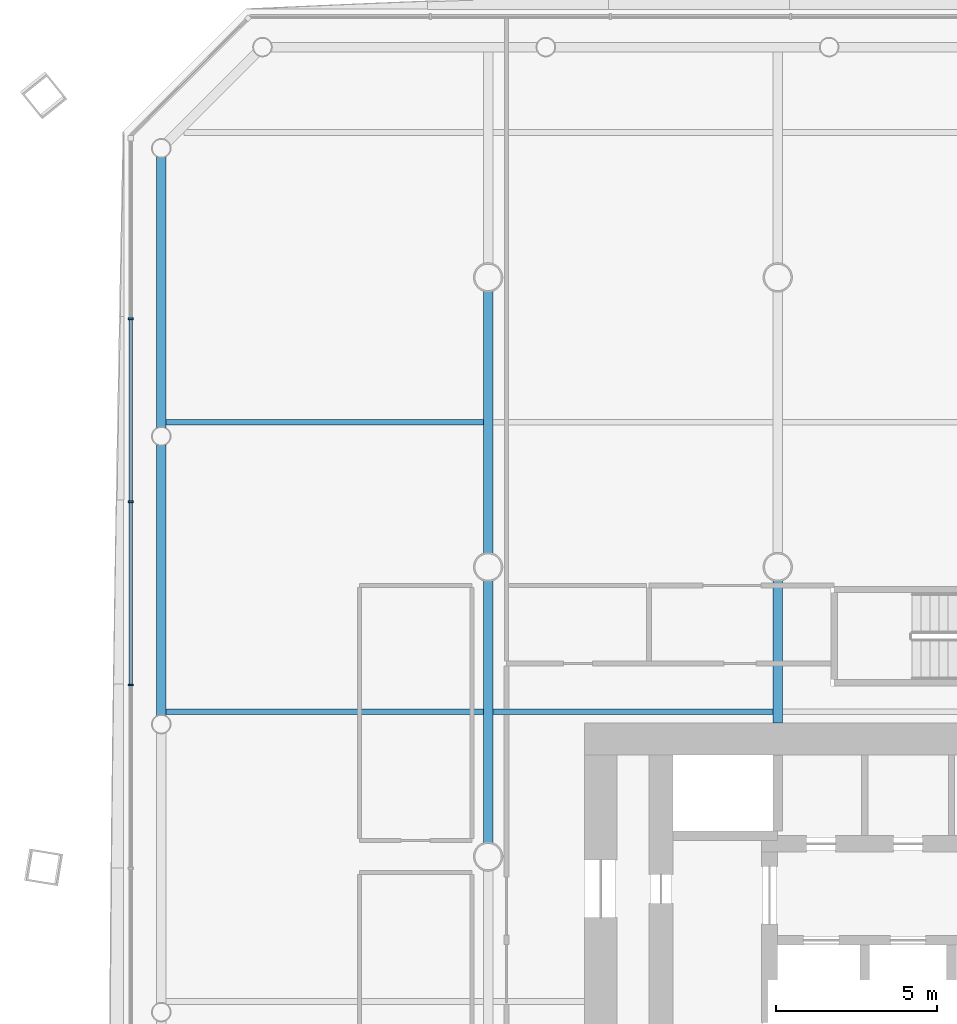
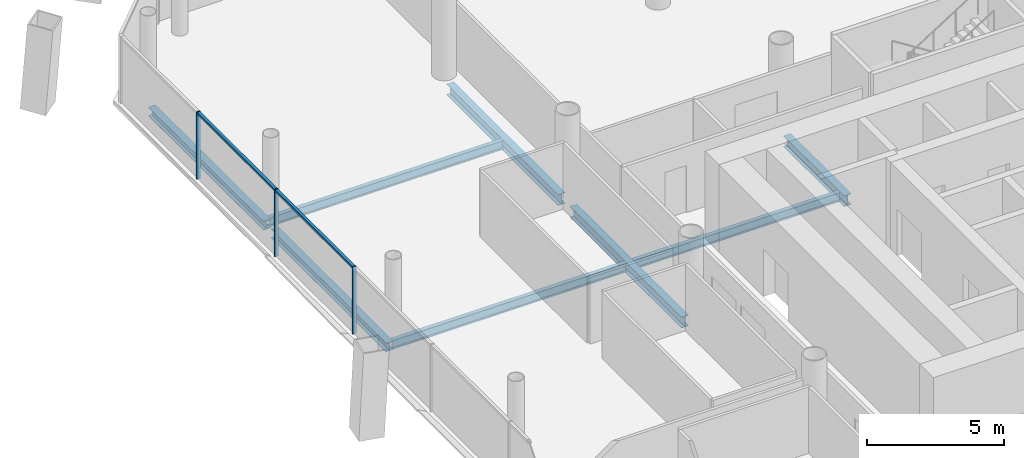
# One storey, part 7 of 20: 8 beams, 5 members, 1 element without a shape of its own.
"""IFC4 building model written with IfcOpenShell, lengths in metres."""

from ifc_helpers import new_model, si_unit, direction, frame, origin, origin_2d, place, context, subcontext, project, spatial, rectangle, i_section, extrude, material, material_profile, profile_set, type_object, element, aggregate, save


model = new_model("IFC4")

# Units and contexts
model_context = context("Model", 3, precision=1e-05, world=origin(), true_north=direction((0.0, 1.0)))
body_context = subcontext(model_context, "Body", "Model", "MODEL_VIEW")
ifc_project = project(units=[si_unit("LENGTHUNIT", "METRE"), si_unit("AREAUNIT", "SQUARE_METRE"), si_unit("VOLUMEUNIT", "CUBIC_METRE"), si_unit("PLANEANGLEUNIT", "RADIAN"), si_unit("MASSUNIT", "GRAM", prefix="KILO")], contexts=[model_context])

# Site, building, storey
site_placement = place(None, origin())
site = spatial("IfcSite", under=ifc_project, at=site_placement, CompositionType="ELEMENT")
building_placement = place(site_placement, origin())
building = spatial("IfcBuilding", under=site, at=building_placement, Name="Tskaro Facet Tower", CompositionType="ELEMENT")
storey_placement = place(building_placement, frame((0.0, 0.0, 53.699951171875)))
storey = spatial("IfcBuildingStorey", under=building, at=storey_placement, Name="L12", CompositionType="ELEMENT", Elevation=53.699951171875)

# Curtain wall, members
ifc_material_1 = material(Name="Bronze anodised aluminium 6063-T6", Category="aluminium")
curtain_wall_type = type_object("IfcCurtainWallType", Name="Bronze office curtain wall (FW1)", PredefinedType="NOTDEFINED", material=ifc_material_1)
curtain_wall_placement = place(storey_placement, origin())
curtain_wall = element("IfcCurtainWall", 1, at=curtain_wall_placement, inside=storey, type_object=curtain_wall_type, Name="FW1 west facet L12", PredefinedType="NOTDEFINED")
ifc_material_profile_1 = material_profile(ifc_material_1, rectangle(XDim=0.06005859375, YDim=0.159912109375, at=origin_2d()), Name="Mullion 60x160")
ifc_profile_set_1 = profile_set([ifc_material_profile_1], Name="Bronze anodised aluminium 6063-T6")
member_type_1 = type_object("IfcMemberType", Name="FW1 bronze mullion 60x160", PredefinedType="MULLION", material=ifc_profile_set_1)
member_1_placement = place(storey_placement, frame((-29.10693359375, 16.714111328125, 0.0), z_axis=(0.0, 0.0, 1.0), x_axis=(0.0, -1.0, 0.0)))
member_1 = element("IfcMember", 2, at=member_1_placement, type_object=member_type_1, Name="FW1 west mullion 1", PredefinedType="MULLION", context=body_context, shape_type="SweptSolid", body=[
    extrude(rectangle(XDim=0.06005859375, YDim=0.159912109375, at=origin_2d()), origin(), (0.0, 0.0, 1.0), 2.989990234375),
])
member_2_placement = place(storey_placement, frame((-29.10693359375, 11.023193359375, 0.0), z_axis=(0.0, 0.0, 1.0), x_axis=(0.0, -1.0, 0.0)))
member_2 = element("IfcMember", 3, at=member_2_placement, type_object=member_type_1, Name="FW1 west mullion 2", PredefinedType="MULLION", context=body_context, shape_type="SweptSolid", body=[
    extrude(rectangle(XDim=0.06005859375, YDim=0.159912109375, at=origin_2d()), origin(), (0.0, 0.0, 1.0), 2.989990234375),
])
member_3_placement = place(storey_placement, frame((-29.10693359375, 5.332275390625, 0.0), z_axis=(0.0, 0.0, 1.0), x_axis=(0.0, -1.0, 0.0)))
member_3 = element("IfcMember", 4, at=member_3_placement, type_object=member_type_1, Name="FW1 west mullion 3", PredefinedType="MULLION", context=body_context, shape_type="SweptSolid", body=[
    extrude(rectangle(XDim=0.06005859375, YDim=0.159912109375, at=origin_2d()), origin(), (0.0, 0.0, 1.0), 2.989990234375),
])
ifc_material_profile_2 = material_profile(ifc_material_1, rectangle(XDim=0.1201171875, YDim=0.10009765625, at=origin_2d()), Name="Transom 120x100")
ifc_profile_set_2 = profile_set([ifc_material_profile_2], Name="Bronze anodised aluminium 6063-T6")
member_type_2 = type_object("IfcMemberType", Name="FW1 bronze transom 120x100", PredefinedType="USERDEFINED", material=ifc_profile_set_2)
member_4_placement = place(storey_placement, frame((-29.10693359375, 16.68408203125, 2.93994140625), z_axis=(0.0, -1.0, 0.0), x_axis=(1.0, 0.0, 0.0)))
member_4 = element("IfcMember", 5, at=member_4_placement, type_object=member_type_2, Name="FW1 west transom 2.1", ObjectType="TRANSOM", PredefinedType="USERDEFINED", context=body_context, shape_type="SweptSolid", body=[
    extrude(rectangle(XDim=0.1201171875, YDim=0.10009765625, at=origin_2d()), origin(), (0.0, 0.0, 1.0), 5.630859375),
])
member_5_placement = place(storey_placement, frame((-29.10693359375, 10.9931640625, 2.93994140625), z_axis=(0.0, -1.0, 0.0), x_axis=(1.0, 0.0, 0.0)))
member_5 = element("IfcMember", 6, at=member_5_placement, type_object=member_type_2, Name="FW1 west transom 3.1", ObjectType="TRANSOM", PredefinedType="USERDEFINED", context=body_context, shape_type="SweptSolid", body=[
    extrude(rectangle(XDim=0.1201171875, YDim=0.10009765625, at=origin_2d()), origin(), (0.0, 0.0, 1.0), 5.630859375),
])
aggregate(curtain_wall, [member_1, member_2, member_3, member_4, member_5])

# Beams
ifc_material_2 = material(Name="Steel S355J2", Category="steel")
ifc_material_profile_3 = material_profile(ifc_material_2, i_section(OverallWidth=0.300048828125, OverallDepth=0.39990234375, WebThickness=0.013427734375, FlangeThickness=0.02392578125, FilletRadius=0.027099609375, at=origin_2d()), Name="HE 400 B")
ifc_profile_set_3 = profile_set([ifc_material_profile_3], Name="Steel S355J2")
beam_type_1 = type_object("IfcBeamType", Name="HE 400 B ring beam", PredefinedType="BEAM", material=ifc_profile_set_3)
for number, where, z_axis, x_axis, name in (
    (7, (-28.156982421875, 21.737060546875, -0.33984375), (0.0, -1.0, 0.0), (1.0, 0.0, 0.0), "HE 400 B EB20-1"),
    (8, (-28.156982421875, 12.7890625, -0.33984375), (0.0, -1.0, 0.0), (1.0, 0.0, 0.0), "HE 400 B EB21-1"),
):
    element("IfcBeam", number, at=place(storey_placement, frame(where, z_axis=z_axis, x_axis=x_axis)), inside=storey, type_object=beam_type_1, Name=name, PredefinedType="BEAM", context=body_context, shape_type="SweptSolid", body=[
        extrude(i_section(OverallWidth=0.300048828125, OverallDepth=0.39990234375, WebThickness=0.013427734375, FlangeThickness=0.02392578125, FilletRadius=0.027099609375, at=origin_2d()), origin(), (0.0, 0.0, 1.0), 8.39794921875),
    ])
ifc_material_profile_4 = material_profile(ifc_material_2, i_section(OverallWidth=0.300048828125, OverallDepth=0.489990234375, WebThickness=0.011962890625, FlangeThickness=0.02294921875, FilletRadius=0.027099609375, at=origin_2d()), Name="HE 500 A")
ifc_profile_set_4 = profile_set([ifc_material_profile_4], Name="Steel S355J2")
beam_type_2 = type_object("IfcBeamType", Name="HE 500 A girder", PredefinedType="BEAM", material=ifc_profile_set_4)
for number, where, z_axis, x_axis, name in (
    (9, (-18.0, 0.42724609375, -0.385009765625), (0.0, 1.0, 0.0), (-1.0, 0.0, 0.0), "HE 500 A GB2-4-1"),
    (10, (-18.0, 9.42724609375, -0.385009765625), (0.0, 1.0, 0.0), (-1.0, 0.0, 0.0), "HE 500 A GB2-5-1"),
):
    element("IfcBeam", number, at=place(storey_placement, frame(where, z_axis=z_axis, x_axis=x_axis)), inside=storey, type_object=beam_type_2, Name=name, PredefinedType="BEAM", context=body_context, shape_type="SweptSolid", body=[
        extrude(i_section(OverallWidth=0.300048828125, OverallDepth=0.489990234375, WebThickness=0.011962890625, FlangeThickness=0.02294921875, FilletRadius=0.027099609375, at=origin_2d()), origin(), (0.0, 0.0, 1.0), 8.1455078125),
    ])
beam_1_placement = place(storey_placement, frame((-9.0, 4.14990234375, -0.385009765625), z_axis=(0.0, 1.0, 0.0), x_axis=(-1.0, 0.0, 0.0)))
element("IfcBeam", 11, at=beam_1_placement, inside=storey, type_object=beam_type_2, Name="HE 500 A GB3-3-1", PredefinedType="BEAM", context=body_context, shape_type="SweptSolid", body=[
    extrude(i_section(OverallWidth=0.300048828125, OverallDepth=0.489990234375, WebThickness=0.011962890625, FlangeThickness=0.02294921875, FilletRadius=0.027099609375, at=origin_2d()), origin(), (0.0, 0.0, 1.0), 4.4228515625),
])
ifc_material_profile_5 = material_profile(ifc_material_2, i_section(OverallWidth=0.179931640625, OverallDepth=0.39990234375, WebThickness=0.008544921875, FlangeThickness=0.013427734375, FilletRadius=0.02099609375, at=origin_2d()), Name="IPE 400")
ifc_profile_set_5 = profile_set([ifc_material_profile_5], Name="Steel S355J2")
beam_type_3 = type_object("IfcBeamType", Name="IPE 400 secondary beam", PredefinedType="BEAM", material=ifc_profile_set_5)
beam_2_placement = place(storey_placement, frame((-28.007080078125, 4.5, -0.33984375), z_axis=(1.0, 0.0, 0.0), x_axis=(0.0, 1.0, 0.0)))
element("IfcBeam", 12, at=beam_2_placement, inside=storey, type_object=beam_type_3, Name="IPE 400 SB4a-1-1", PredefinedType="BEAM", context=body_context, shape_type="SweptSolid", body=[
    extrude(i_section(OverallWidth=0.179931640625, OverallDepth=0.39990234375, WebThickness=0.008544921875, FlangeThickness=0.013427734375, FilletRadius=0.02099609375, at=origin_2d()), origin(), (0.0, 0.0, 1.0), 9.857177734375),
])
beam_3_placement = place(storey_placement, frame((-17.85009765625, 4.5, -0.33984375), z_axis=(1.0, 0.0, 0.0), x_axis=(0.0, 1.0, 0.0)))
element("IfcBeam", 13, at=beam_3_placement, inside=storey, type_object=beam_type_3, Name="IPE 400 SB4a-2-1", PredefinedType="BEAM", context=body_context, shape_type="SweptSolid", body=[
    extrude(i_section(OverallWidth=0.179931640625, OverallDepth=0.39990234375, WebThickness=0.008544921875, FlangeThickness=0.013427734375, FilletRadius=0.02099609375, at=origin_2d()), origin(), (0.0, 0.0, 1.0), 8.7001953125),
])
beam_4_placement = place(storey_placement, frame((-28.007080078125, 13.5, -0.33984375), z_axis=(1.0, 0.0, 0.0), x_axis=(0.0, 1.0, 0.0)))
element("IfcBeam", 14, at=beam_4_placement, inside=storey, type_object=beam_type_3, Name="IPE 400 SB5a-1-1", PredefinedType="BEAM", context=body_context, shape_type="SweptSolid", body=[
    extrude(i_section(OverallWidth=0.179931640625, OverallDepth=0.39990234375, WebThickness=0.008544921875, FlangeThickness=0.013427734375, FilletRadius=0.02099609375, at=origin_2d()), origin(), (0.0, 0.0, 1.0), 9.857177734375),
])

save(model, "model.ifc")
